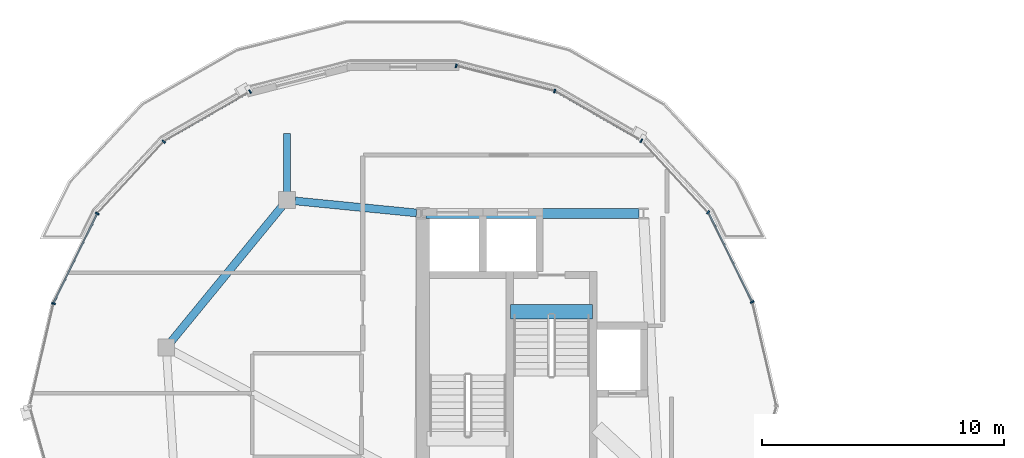
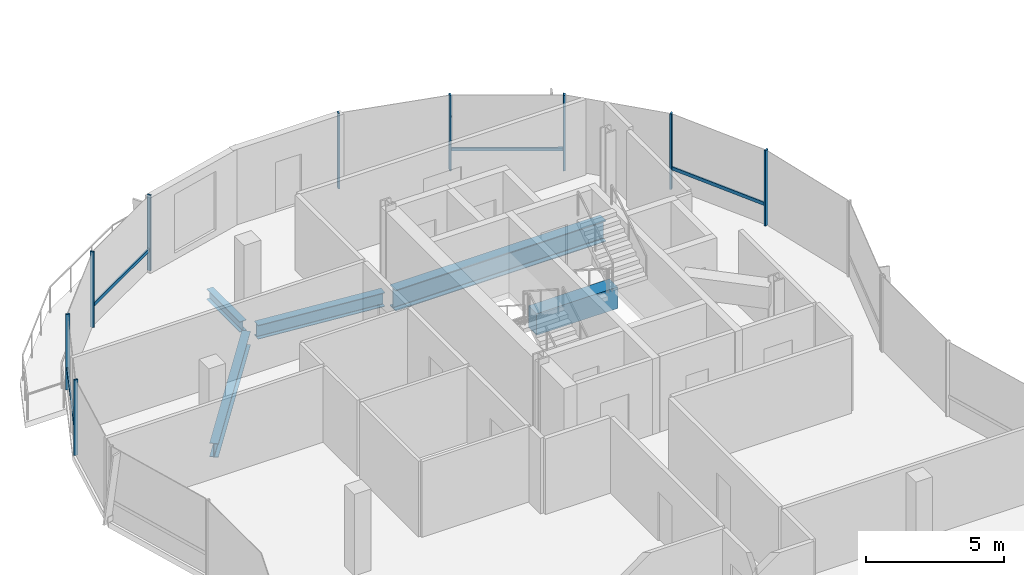
# One storey, part 5 of 20: 13 members, 5 beams, 2 elements without a shape of their own.
"""IFC4 building model written with IfcOpenShell, lengths in metres."""

from ifc_helpers import new_model, si_unit, direction, frame, origin, origin_2d, place, context, subcontext, project, spatial, rectangle, i_section, extrude, material, material_profile, profile_set, type_object, element, aggregate, save


model = new_model("IFC4")

# Units and contexts
model_context = context("Model", 3, precision=1e-05, world=origin(), true_north=direction((0.0, 1.0)))
body_context = subcontext(model_context, "Body", "Model", "MODEL_VIEW")
ifc_project = project(units=[si_unit("LENGTHUNIT", "METRE"), si_unit("AREAUNIT", "SQUARE_METRE"), si_unit("VOLUMEUNIT", "CUBIC_METRE"), si_unit("PLANEANGLEUNIT", "RADIAN"), si_unit("MASSUNIT", "GRAM", prefix="KILO"), si_unit("THERMODYNAMICTEMPERATUREUNIT", "KELVIN"), si_unit("POWERUNIT", "WATT")], contexts=[model_context])

# Site, building, storey
site_placement = place(None, origin())
site = spatial("IfcSite", under=ifc_project, at=site_placement, CompositionType="ELEMENT")
building_placement = place(site_placement, origin())
building = spatial("IfcBuilding", under=site, at=building_placement, Name="Cundina Bronze Exchange", CompositionType="ELEMENT")
storey_placement = place(building_placement, frame((0.0, 0.0, 279.199951171875)))
storey = spatial("IfcBuildingStorey", under=building, at=storey_placement, Name="L74", CompositionType="ELEMENT", Elevation=279.199951171875)

# Beams
ifc_material_1 = material(Name="Concrete C60/75", Category="concrete")
ifc_material_profile_1 = material_profile(ifc_material_1, rectangle(XDim=0.60009765625, YDim=0.949951171875, at=origin_2d()), Name="RC600X950", Category="concrete")
ifc_profile_set_1 = profile_set([ifc_material_profile_1], Name="Concrete C60/75")
beam_type_1 = type_object("IfcBeamType", Name="BM-COUP-RC950", PredefinedType="LINTEL", material=ifc_profile_set_1)
beam_1_placement = place(storey_placement, frame((-27.56005859375, 10.97998046875, -0.474853515625), z_axis=(1.0, 0.0, 0.0), x_axis=(0.0, 1.0, 0.0)))
element("IfcBeam", 1, at=beam_1_placement, inside=storey, type_object=beam_type_1, Name="L74 Stair W2 Landing Header Beam", PredefinedType="LINTEL", context=body_context, shape_type="SweptSolid", body=[
    extrude(rectangle(XDim=0.60009765625, YDim=0.949951171875, at=origin_2d()), origin(), (0.0, 0.0, 1.0), 3.400146484375),
])
ifc_material_2 = material(Name="Steel ASTM A992 Grade 50", Category="steel")
ifc_material_profile_2 = material_profile(ifc_material_2, i_section(OverallWidth=0.280029296875, OverallDepth=0.462890625, WebThickness=0.0107421875, FlangeThickness=0.017333984375, FilletRadius=0.011962890625, at=origin_2d()), Name="W18X76", Category="steel")
ifc_profile_set_2 = profile_set([ifc_material_profile_2], Name="Steel ASTM A992 Grade 50")
beam_type_2 = type_object("IfcBeamType", Name="BM-FLR-W18A", PredefinedType="BEAM", material=ifc_profile_set_2)
beam_2_placement = place(storey_placement, frame((-36.800048828125, 15.93798828125, -0.496337890625), z_axis=(0.0, 1.0, 0.0), x_axis=(-1.0, 0.0, 0.0)))
element("IfcBeam", 2, at=beam_2_placement, inside=storey, type_object=beam_type_2, Name="L74 W Crown Terrace Edge Bracket 1", PredefinedType="BEAM", context=body_context, shape_type="SweptSolid", body=[
    extrude(i_section(OverallWidth=0.280029296875, OverallDepth=0.462890625, WebThickness=0.0107421875, FlangeThickness=0.017333984375, FilletRadius=0.011962890625, at=origin_2d()), origin(), (0.0, 0.0, 1.0), 2.412109375),
])
ifc_material_profile_3 = material_profile(ifc_material_2, i_section(OverallWidth=0.324951171875, OverallDepth=0.615966796875, WebThickness=0.013916015625, FlangeThickness=0.021484375, FilletRadius=0.01611328125, at=origin_2d()), Name="W24X117", Category="steel")
ifc_profile_set_3 = profile_set([ifc_material_profile_3], Name="Steel ASTM A992 Grade 50")
beam_type_3 = type_object("IfcBeamType", Name="BM-RING-W24", PredefinedType="USERDEFINED", material=ifc_profile_set_3)
beam_3_placement = place(storey_placement, frame((-31.445068359375, 15.0693359375, -0.56787109375), z_axis=(-0.995125942807, 0.098612159248, 0.0), x_axis=(-0.098612159248, -0.995125942807, 0.0)))
element("IfcBeam", 3, at=beam_3_placement, inside=storey, type_object=beam_type_3, Name="L74 W Inner Structural Ring Girder 01", ObjectType="GIRDER", PredefinedType="USERDEFINED", context=body_context, shape_type="SweptSolid", body=[
    extrude(i_section(OverallWidth=0.324951171875, OverallDepth=0.615966796875, WebThickness=0.013916015625, FlangeThickness=0.021484375, FilletRadius=0.01611328125, at=origin_2d()), origin(), (0.0, 0.0, 1.0), 5.043212890625),
])
beam_4_placement = place(storey_placement, frame((-37.014404296875, 15.338623046875, -0.56787109375), z_axis=(-0.633916003783, -0.773401900791, 0.0), x_axis=(0.773401900791, -0.633916003783, 0.0)))
element("IfcBeam", 4, at=beam_4_placement, inside=storey, type_object=beam_type_3, Name="L74 W Inner Structural Ring Girder 02", ObjectType="GIRDER", PredefinedType="USERDEFINED", context=body_context, shape_type="SweptSolid", body=[
    extrude(i_section(OverallWidth=0.324951171875, OverallDepth=0.615966796875, WebThickness=0.013916015625, FlangeThickness=0.021484375, FilletRadius=0.01611328125, at=origin_2d()), origin(), (0.0, 0.0, 1.0), 7.211181640625),
])
ifc_material_profile_4 = material_profile(ifc_material_2, i_section(OverallWidth=0.41796875, OverallDepth=0.927001953125, WebThickness=0.019287109375, FlangeThickness=0.031982421875, FilletRadius=0.02392578125, at=origin_2d()), Name="W36X231", Category="steel")
ifc_profile_set_4 = profile_set([ifc_material_profile_4], Name="Steel ASTM A992 Grade 50")
beam_type_4 = type_object("IfcBeamType", Name="BM-WRN-W36B", PredefinedType="USERDEFINED", material=ifc_profile_set_4)
beam_5_placement = place(storey_placement, frame((-22.24609375, 15.050048828125, -0.723388671875), z_axis=(-1.0, 0.0, 0.0), x_axis=(0.0, -1.0, 0.0)))
element("IfcBeam", 5, at=beam_5_placement, inside=storey, type_object=beam_type_4, Name="L74 W Core Perimeter Tie Girder 3", ObjectType="GIRDER", PredefinedType="USERDEFINED", context=body_context, shape_type="SweptSolid", body=[
    extrude(i_section(OverallWidth=0.41796875, OverallDepth=0.927001953125, WebThickness=0.019287109375, FlangeThickness=0.031982421875, FilletRadius=0.02392578125, at=origin_2d()), origin(), (0.0, 0.0, 1.0), 8.807861328125),
])

# Curtain wall, members
ifc_material_3 = material(Name="Anodised Bronze Aluminium 6063-T6", Category="aluminium")
curtain_wall_type = type_object("IfcCurtainWallType", Name="CWS-CRN-TMD", PredefinedType="NOTDEFINED", material=ifc_material_3)
curtain_wall_1_placement = place(storey_placement, origin())
curtain_wall_1 = element("IfcCurtainWall", 6, at=curtain_wall_1_placement, inside=storey, type_object=curtain_wall_type, Name="L74 CW-07 Curtain Wall Run CWR-L74-W1", PredefinedType="NOTDEFINED")
ifc_material_profile_5 = material_profile(ifc_material_3, rectangle(XDim=0.06494140625, YDim=0.159912109375, at=origin_2d()), Name="AL65X160", Category="aluminium")
ifc_profile_set_5 = profile_set([ifc_material_profile_5], Name="Anodised Bronze Aluminium 6063-T6")
member_type_1 = type_object("IfcMemberType", Name="CWM-MUL-160", PredefinedType="MULLION", material=ifc_profile_set_5)
member_1_placement = place(storey_placement, frame((-17.5537109375, 11.382080078125, 0.0), z_axis=(0.0, 0.0, 1.0), x_axis=(-0.439312121178, 0.898334492373, 0.0)))
member_1 = element("IfcMember", 7, at=member_1_placement, type_object=member_type_1, Name="CW-07 Mullion 3", PredefinedType="MULLION", context=body_context, shape_type="SweptSolid", body=[
    extrude(rectangle(XDim=0.06494140625, YDim=0.159912109375, at=origin_2d()), origin(), (0.0, 0.0, 1.0), 3.340087890625),
])
member_2_placement = place(storey_placement, frame((-19.380126953125, 15.097412109375, 0.0), z_axis=(0.0, 0.0, 1.0), x_axis=(-0.680465121782, 0.732780470562, 0.0)))
member_2 = element("IfcMember", 8, at=member_2_placement, type_object=member_type_1, Name="CW-07 Mullion 4", PredefinedType="MULLION", context=body_context, shape_type="SweptSolid", body=[
    extrude(rectangle(XDim=0.06494140625, YDim=0.159912109375, at=origin_2d()), origin(), (0.0, 0.0, 1.0), 3.340087890625),
])
member_3_placement = place(storey_placement, frame((-22.140380859375, 18.05615234375, 0.0), z_axis=(0.0, 0.0, 1.0), x_axis=(-0.866461406284, 0.499244059975, 0.0)))
member_3 = element("IfcMember", 9, at=member_3_placement, type_object=member_type_1, Name="CW-07 Mullion 5", PredefinedType="MULLION", context=body_context, shape_type="SweptSolid", body=[
    extrude(rectangle(XDim=0.06494140625, YDim=0.159912109375, at=origin_2d()), origin(), (0.0, 0.0, 1.0), 3.340087890625),
])
member_4_placement = place(storey_placement, frame((-25.727783203125, 20.11328125, 0.0), z_axis=(0.0, 0.0, 1.0), x_axis=(-0.968756543371, 0.248013628006, 0.0)))
member_4 = element("IfcMember", 10, at=member_4_placement, type_object=member_type_1, Name="CW-07 Mullion 6", PredefinedType="MULLION", context=body_context, shape_type="SweptSolid", body=[
    extrude(rectangle(XDim=0.06494140625, YDim=0.159912109375, at=origin_2d()), origin(), (0.0, 0.0, 1.0), 3.340087890625),
])
member_5_placement = place(storey_placement, frame((-29.802734375, 21.15673828125, 0.0), z_axis=(0.0, 0.0, 1.0), x_axis=(-0.968756543371, 0.248013628006, 0.0)))
member_5 = element("IfcMember", 11, at=member_5_placement, type_object=member_type_1, Name="CW-07 End Mullion", PredefinedType="MULLION", context=body_context, shape_type="SweptSolid", body=[
    extrude(rectangle(XDim=0.06494140625, YDim=0.159912109375, at=origin_2d()), origin(), (0.0, 0.0, 1.0), 3.340087890625),
])

curtain_wall_2_placement = place(storey_placement, origin())
curtain_wall_2 = element("IfcCurtainWall", 12, at=curtain_wall_2_placement, inside=storey, type_object=curtain_wall_type, Name="L74 CW-07 Curtain Wall Run CWR-L74-W2", PredefinedType="NOTDEFINED")
member_6_placement = place(storey_placement, frame((-38.33056640625, 20.089599609375, 0.0), z_axis=(0.0, 0.0, 1.0), x_axis=(-0.866461406284, -0.499244059975, 0.0)))
member_6 = element("IfcMember", 13, at=member_6_placement, type_object=member_type_1, Name="CW-07 Mullion 1", PredefinedType="MULLION", context=body_context, shape_type="SweptSolid", body=[
    extrude(rectangle(XDim=0.06494140625, YDim=0.159912109375, at=origin_2d()), origin(), (0.0, 0.0, 1.0), 3.340087890625),
])
member_7_placement = place(storey_placement, frame((-41.90673828125, 18.0185546875, 0.0), z_axis=(0.0, 0.0, 1.0), x_axis=(-0.680465121782, -0.732780470562, 0.0)))
member_7 = element("IfcMember", 14, at=member_7_placement, type_object=member_type_1, Name="CW-07 Mullion 2", PredefinedType="MULLION", context=body_context, shape_type="SweptSolid", body=[
    extrude(rectangle(XDim=0.06494140625, YDim=0.159912109375, at=origin_2d()), origin(), (0.0, 0.0, 1.0), 3.340087890625),
])
member_8_placement = place(storey_placement, frame((-44.654052734375, 15.047119140625, 0.0), z_axis=(0.0, 0.0, 1.0), x_axis=(-0.439312121178, -0.898334492373, 0.0)))
member_8 = element("IfcMember", 15, at=member_8_placement, type_object=member_type_1, Name="CW-07 Mullion 3", PredefinedType="MULLION", context=body_context, shape_type="SweptSolid", body=[
    extrude(rectangle(XDim=0.06494140625, YDim=0.159912109375, at=origin_2d()), origin(), (0.0, 0.0, 1.0), 3.340087890625),
])
member_9_placement = place(storey_placement, frame((-46.46875, 11.318115234375, 0.0), z_axis=(0.0, 0.0, 1.0), x_axis=(-0.225291159947, -0.974291482694, 0.0)))
member_9 = element("IfcMember", 16, at=member_9_placement, type_object=member_type_1, Name="CW-07 Mullion 4", PredefinedType="MULLION", context=body_context, shape_type="SweptSolid", body=[
    extrude(rectangle(XDim=0.06494140625, YDim=0.159912109375, at=origin_2d()), origin(), (0.0, 0.0, 1.0), 3.340087890625),
])

# Member
ifc_material_profile_6 = material_profile(ifc_material_3, rectangle(XDim=0.06494140625, YDim=0.14990234375, at=origin_2d()), Name="AL65X150", Category="aluminium")
ifc_profile_set_6 = profile_set([ifc_material_profile_6], Name="Anodised Bronze Aluminium 6063-T6")
member_type_2 = type_object("IfcMemberType", Name="CWM-TRN-150", PredefinedType="USERDEFINED", material=ifc_profile_set_6)
member_10_placement = place(storey_placement, frame((-17.569580078125, 11.4140625, 0.920166015625), z_axis=(-0.439225157516, 0.898377014958, 0.0), x_axis=(-0.898377014958, -0.439225157516, 0.0)))
member_10 = element("IfcMember", 17, at=member_10_placement, type_object=member_type_2, Name="CW-07 Spandrel Transom 3", ObjectType="TRANSOM", PredefinedType="USERDEFINED", context=body_context, shape_type="SweptSolid", body=[
    extrude(rectangle(XDim=0.06494140625, YDim=0.14990234375, at=origin_2d()), origin(), (0.0, 0.0, 1.0), 4.079833984375),
])

member_11_placement = place(storey_placement, frame((-22.17138671875, 18.073974609375, 0.920166015625), z_axis=(-0.866455894973, 0.49925362499, 0.0), x_axis=(-0.49925362499, -0.866455894973, 0.0)))
member_11 = element("IfcMember", 18, at=member_11_placement, type_object=member_type_2, Name="CW-07 Spandrel Transom 5", ObjectType="TRANSOM", PredefinedType="USERDEFINED", context=body_context, shape_type="SweptSolid", body=[
    extrude(rectangle(XDim=0.06494140625, YDim=0.14990234375, at=origin_2d()), origin(), (0.0, 0.0, 1.0), 4.072998046875),
])

aggregate(curtain_wall_1, [member_1, member_10, member_2, member_3, member_11, member_4, member_5])

member_12_placement = place(storey_placement, frame((-38.361572265625, 20.07177734375, 0.920166015625), z_axis=(-0.866429964967, -0.499298623879, 0.0), x_axis=(0.499298623879, -0.866429964967, 0.0)))
member_12 = element("IfcMember", 19, at=member_12_placement, type_object=member_type_2, Name="CW-07 Spandrel Transom 1", ObjectType="TRANSOM", PredefinedType="USERDEFINED", context=body_context, shape_type="SweptSolid", body=[
    extrude(rectangle(XDim=0.06494140625, YDim=0.14990234375, at=origin_2d()), origin(), (0.0, 0.0, 1.0), 4.072998046875),
])

member_13_placement = place(storey_placement, frame((-44.669921875, 15.01513671875, 0.920166015625), z_axis=(-0.439225157516, -0.898377014958, 0.0), x_axis=(0.898377014958, -0.439225157516, 0.0)))
member_13 = element("IfcMember", 20, at=member_13_placement, type_object=member_type_2, Name="CW-07 Spandrel Transom 3", ObjectType="TRANSOM", PredefinedType="USERDEFINED", context=body_context, shape_type="SweptSolid", body=[
    extrude(rectangle(XDim=0.06494140625, YDim=0.14990234375, at=origin_2d()), origin(), (0.0, 0.0, 1.0), 4.079833984375),
])

aggregate(curtain_wall_2, [member_6, member_12, member_7, member_8, member_13, member_9])

save(model, "model.ifc")
